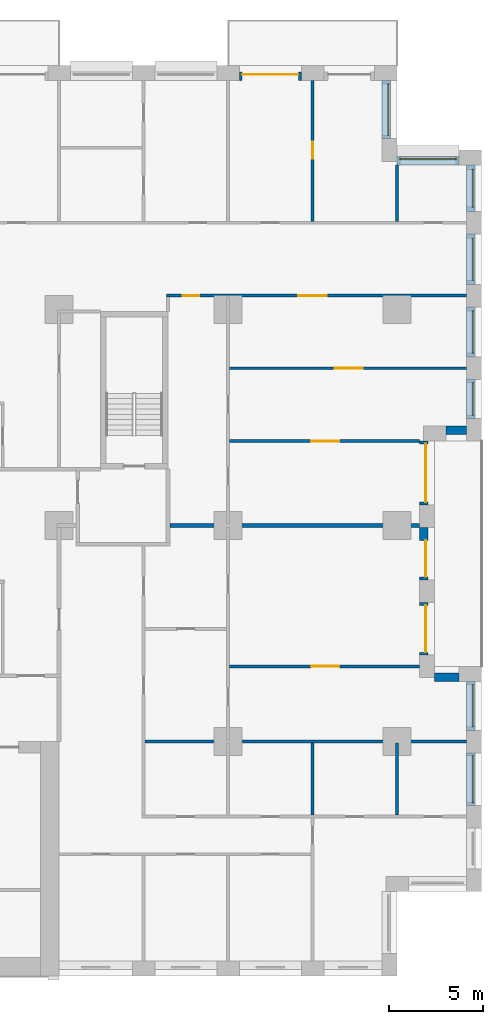
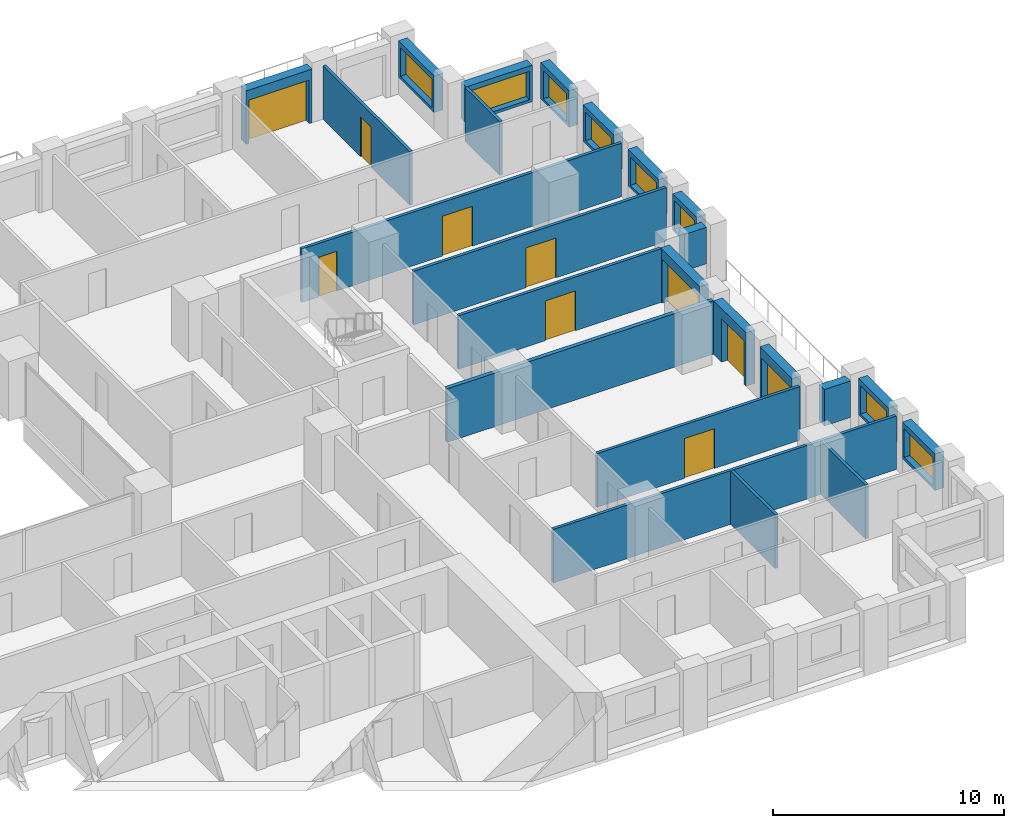
# One storey, part 16 of 19: 24 walls, 10 doors, 8 windows, 18 openings.
"""IFC4 building model written with IfcOpenShell, lengths in metres."""

from ifc_helpers import new_model, si_unit, direction, frame, frame_2d, origin, place, context, subcontext, project, spatial, rectangle, extrude, material, layer, layer_set, type_object, element, fill, save


model = new_model("IFC4")

# Units and contexts
model_context = context("Model", 3, precision=1e-05, world=origin(), true_north=direction((0.0, 1.0)))
body_context = subcontext(model_context, "Body", "Model", "MODEL_VIEW")
ifc_project = project(units=[si_unit("LENGTHUNIT", "METRE"), si_unit("AREAUNIT", "SQUARE_METRE"), si_unit("VOLUMEUNIT", "CUBIC_METRE"), si_unit("PLANEANGLEUNIT", "RADIAN"), si_unit("MASSUNIT", "GRAM", prefix="KILO")], contexts=[model_context])

# Site, building, storey
site_placement = place(None, origin())
site = spatial("IfcSite", under=ifc_project, at=site_placement, CompositionType="ELEMENT")
building_placement = place(site_placement, origin())
building = spatial("IfcBuilding", under=site, at=building_placement, Name="Brigalow Station Residences", CompositionType="ELEMENT")
storey_placement = place(building_placement, frame((0.0, 0.0, 19.5)))
storey = spatial("IfcBuildingStorey", under=building, at=storey_placement, Name="L04", CompositionType="ELEMENT", Elevation=19.5)

# Wall, opening, window
ifc_material_1 = material(Name="Clay brick masonry", Category="masonry")
ifc_layer_1 = layer(ifc_material_1, 0.449951171875)
ifc_layer_set_1 = layer_set([ifc_layer_1], Name="BRICK INFILL WALL 450")
wall_type_1 = type_object("IfcWallType", Name="BRICK INFILL WALL 450", PredefinedType="SOLIDWALL", material=ifc_layer_set_1)
wall_1_placement = place(storey_placement, frame((75.925048828125, 9.10009765625, 0.89990234375), z_axis=(0.0, 0.0, 1.0), x_axis=(0.0, 1.0, 0.0)))
wall_1 = element("IfcWall", 1, at=wall_1_placement, inside=storey, type_object=wall_type_1, Name="L04/ewall/W-L04-12", PredefinedType="SOLIDWALL", context=body_context, shape_type="SweptSolid", body=[
    extrude(rectangle(XDim=2.7998046875, YDim=0.449951171875, at=frame_2d((1.39990234375, 0.0))), origin(), (0.0, 0.0, 1.0), 1.93017578125),
])
opening_1_placement = place(wall_1_placement, frame((0.14990234375, 0.0, 0.14990234375)))
opening_1 = element("IfcOpeningElement", 2, at=opening_1_placement, cuts=wall_1, Name="Opening WT-5", PredefinedType="OPENING", context=body_context, shape_type="SweptSolid", body=[
    extrude(rectangle(XDim=2.5, YDim=1.5, at=frame_2d((1.25, 0.75))), frame((0.0, 0.23486328125, 0.0), z_axis=(0.0, -1.0, 0.0), x_axis=(1.0, 0.0, 0.0)), (0.0, 0.0, 1.0), 0.469970703125),
])
ifc_material_2 = material(Name="Anodised aluminium frame with double glazing", Category="aluminium")
window_type_1 = type_object("IfcWindowType", Name="WINDOW 2500x1500", PartitioningType="SINGLE_PANEL", PredefinedType="WINDOW", material=ifc_material_2)
window_1_placement = place(opening_1_placement, origin())
window_1 = element("IfcWindow", 3, at=window_1_placement, inside=storey, type_object=window_type_1, Name="L04/window/W-L04-12", OverallHeight=1.5, OverallWidth=2.5, PartitioningType="SINGLE_PANEL", PredefinedType="WINDOW", context=body_context, shape_type="SweptSolid", body=[
    extrude(rectangle(XDim=2.5, YDim=1.5, at=frame_2d((1.25, 0.75))), frame((0.0, -0.06494140625, 0.0), z_axis=(0.0, -1.0, 0.0), x_axis=(1.0, 0.0, 0.0)), (0.0, 0.0, 1.0), 0.06005859375),
])
fill(opening_1, window_1)

wall_2_placement = place(storey_placement, frame((75.925048828125, 13.10009765625, 0.89990234375), z_axis=(0.0, 0.0, 1.0), x_axis=(0.0, 1.0, 0.0)))
wall_2 = element("IfcWall", 4, at=wall_2_placement, inside=storey, type_object=wall_type_1, Name="L04/ewall/W-L04-13", PredefinedType="SOLIDWALL", context=body_context, shape_type="SweptSolid", body=[
    extrude(rectangle(XDim=2.599853515625, YDim=0.449951171875, at=frame_2d((1.2998046875, 0.0))), origin(), (0.0, 0.0, 1.0), 1.93017578125),
])
opening_2_placement = place(wall_2_placement, frame((0.175048828125, 0.0, 0.14990234375)))
opening_2 = element("IfcOpeningElement", 5, at=opening_2_placement, cuts=wall_2, Name="Opening WT-6", PredefinedType="OPENING", context=body_context, shape_type="SweptSolid", body=[
    extrude(rectangle(XDim=2.25, YDim=1.5, at=frame_2d((1.125, 0.75))), frame((0.0, 0.23486328125, 0.0), z_axis=(0.0, -1.0, 0.0), x_axis=(1.0, 0.0, 0.0)), (0.0, 0.0, 1.0), 0.469970703125),
])
ifc_material_3 = material(Name="Anodised aluminium frame with double glazing", Category="aluminium")
window_type_2 = type_object("IfcWindowType", Name="WINDOW 2250x1500", PartitioningType="SINGLE_PANEL", PredefinedType="WINDOW", material=ifc_material_3)
window_2_placement = place(opening_2_placement, origin())
window_2 = element("IfcWindow", 6, at=window_2_placement, inside=storey, type_object=window_type_2, Name="L04/window/W-L04-13", OverallHeight=1.5, OverallWidth=2.25, PartitioningType="SINGLE_PANEL", PredefinedType="WINDOW", context=body_context, shape_type="SweptSolid", body=[
    extrude(rectangle(XDim=2.25, YDim=1.5, at=frame_2d((1.125, 0.75))), frame((0.0, -0.06494140625, 0.0), z_axis=(0.0, -1.0, 0.0), x_axis=(1.0, 0.0, 0.0)), (0.0, 0.0, 1.0), 0.06005859375),
])
fill(opening_2, window_2)

# Wall
wall_3_placement = place(storey_placement, frame((75.300048828125, 15.925048828125, 0.89990234375), z_axis=(0.0, 0.0, 1.0), x_axis=(-1.0, 0.0, 0.0)))
element("IfcWall", 7, at=wall_3_placement, inside=storey, type_object=wall_type_1, Name="L04/ewall/W-L04-14", PredefinedType="SOLIDWALL", context=body_context, shape_type="SweptSolid", body=[
    extrude(rectangle(XDim=1.300048828125, YDim=0.449951171875, at=frame_2d((0.64990234375, 0.0))), origin(), (0.0, 0.0, 1.0), 1.93017578125),
])

# Wall, opening, door
wall_4_placement = place(storey_placement, frame((73.425048828125, 17.10009765625, 0.0), z_axis=(0.0, 0.0, 1.0), x_axis=(0.0, 1.0, 0.0)))
wall_4 = element("IfcWall", 8, at=wall_4_placement, inside=storey, type_object=wall_type_1, Name="L04/ewall/W-L04-15", PredefinedType="SOLIDWALL", context=body_context, shape_type="SweptSolid", body=[
    extrude(rectangle(XDim=2.7998046875, YDim=0.449951171875, at=frame_2d((1.39990234375, 0.0))), origin(), (0.0, 0.0, 1.0), 2.830078125),
])
opening_3_placement = place(wall_4_placement, frame((0.14990234375, 0.0, 0.0)))
opening_3 = element("IfcOpeningElement", 9, at=opening_3_placement, cuts=wall_4, Name="Opening D-B2500", PredefinedType="OPENING", context=body_context, shape_type="SweptSolid", body=[
    extrude(rectangle(XDim=2.5, YDim=2.300048828125, at=frame_2d((1.25, 1.14990234375))), frame((0.0, 0.23486328125, 0.0), z_axis=(0.0, -1.0, 0.0), x_axis=(1.0, 0.0, 0.0)), (0.0, 0.0, 1.0), 0.469970703125),
])
ifc_material_4 = material(Name="Anodised aluminium frame with double glazing", Category="aluminium")
door_type_1 = type_object("IfcDoorType", Name="BALCONY SLIDING DOOR 2500x2300", OperationType="SLIDING_TO_LEFT", PredefinedType="DOOR", material=ifc_material_4)
door_1_placement = place(opening_3_placement, origin())
door_1 = element("IfcDoor", 10, at=door_1_placement, inside=storey, type_object=door_type_1, Name="L04/balcony-door/W-L04-15", OperationType="SLIDING_TO_LEFT", OverallHeight=2.300048828125, OverallWidth=2.5, PredefinedType="DOOR", context=body_context, shape_type="SweptSolid", body=[
    extrude(rectangle(XDim=2.5, YDim=2.300048828125, at=frame_2d((1.25, 1.14990234375))), frame((0.0, -0.06982421875, 0.0), z_axis=(0.0, -1.0, 0.0), x_axis=(1.0, 0.0, 0.0)), (0.0, 0.0, 1.0), 0.050048828125),
])
fill(opening_3, door_1)

wall_5_placement = place(storey_placement, frame((73.425048828125, 21.10009765625, 0.0), z_axis=(0.0, 0.0, 1.0), x_axis=(0.0, 1.0, 0.0)))
wall_5 = element("IfcWall", 11, at=wall_5_placement, inside=storey, type_object=wall_type_1, Name="L04/ewall/W-L04-16", PredefinedType="SOLIDWALL", context=body_context, shape_type="SweptSolid", body=[
    extrude(rectangle(XDim=2.7998046875, YDim=0.449951171875, at=frame_2d((1.39990234375, 0.0))), origin(), (0.0, 0.0, 1.0), 2.830078125),
])
opening_4_placement = place(wall_5_placement, frame((0.1650390625, 0.0, 0.0)))
opening_4 = element("IfcOpeningElement", 12, at=opening_4_placement, cuts=wall_5, Name="Opening D-B1950", PredefinedType="OPENING", context=body_context, shape_type="SweptSolid", body=[
    extrude(rectangle(XDim=1.949951171875, YDim=2.300048828125, at=frame_2d((0.97509765625, 1.14990234375))), frame((0.0, 0.23486328125, 0.0), z_axis=(0.0, -1.0, 0.0), x_axis=(1.0, 0.0, 0.0)), (0.0, 0.0, 1.0), 0.469970703125),
])
ifc_material_5 = material(Name="Anodised aluminium frame with double glazing", Category="aluminium")
door_type_2 = type_object("IfcDoorType", Name="BALCONY SLIDING DOOR 1950x2300", OperationType="SLIDING_TO_LEFT", PredefinedType="DOOR", material=ifc_material_5)
door_2_placement = place(opening_4_placement, origin())
door_2 = element("IfcDoor", 13, at=door_2_placement, inside=storey, type_object=door_type_2, Name="L04/balcony-door/W-L04-16", OperationType="SLIDING_TO_LEFT", OverallHeight=2.300048828125, OverallWidth=1.949951171875, PredefinedType="DOOR", context=body_context, shape_type="SweptSolid", body=[
    extrude(rectangle(XDim=1.949951171875, YDim=2.300048828125, at=frame_2d((0.97509765625, 1.14990234375))), frame((0.0, -0.06982421875, 0.0), z_axis=(0.0, -1.0, 0.0), x_axis=(1.0, 0.0, 0.0)), (0.0, 0.0, 1.0), 0.050048828125),
])
fill(opening_4, door_2)

wall_6_placement = place(storey_placement, frame((73.425048828125, 25.10009765625, 0.0), z_axis=(0.0, 0.0, 1.0), x_axis=(0.0, 1.0, 0.0)))
wall_6 = element("IfcWall", 14, at=wall_6_placement, inside=storey, type_object=wall_type_1, Name="L04/ewall/W-L04-17", PredefinedType="SOLIDWALL", context=body_context, shape_type="SweptSolid", body=[
    extrude(rectangle(XDim=3.39990234375, YDim=0.449951171875, at=frame_2d((1.699951171875, 0.0))), origin(), (0.0, 0.0, 1.0), 2.830078125),
])
opening_5_placement = place(wall_6_placement, frame((0.14990234375, 0.0, 0.0)))
opening_5 = element("IfcOpeningElement", 15, at=opening_5_placement, cuts=wall_6, Name="Opening D-B3100", PredefinedType="OPENING", context=body_context, shape_type="SweptSolid", body=[
    extrude(rectangle(XDim=3.10009765625, YDim=2.300048828125, at=frame_2d((1.550048828125, 1.14990234375))), frame((0.0, 0.23486328125, 0.0), z_axis=(0.0, -1.0, 0.0), x_axis=(1.0, 0.0, 0.0)), (0.0, 0.0, 1.0), 0.469970703125),
])
ifc_material_6 = material(Name="Anodised aluminium frame with double glazing", Category="aluminium")
door_type_3 = type_object("IfcDoorType", Name="BALCONY SLIDING DOOR 3100x2300", OperationType="SLIDING_TO_LEFT", PredefinedType="DOOR", material=ifc_material_6)
door_3_placement = place(opening_5_placement, origin())
door_3 = element("IfcDoor", 16, at=door_3_placement, inside=storey, type_object=door_type_3, Name="L04/balcony-door/W-L04-17", OperationType="SLIDING_TO_LEFT", OverallHeight=2.300048828125, OverallWidth=3.10009765625, PredefinedType="DOOR", context=body_context, shape_type="SweptSolid", body=[
    extrude(rectangle(XDim=3.10009765625, YDim=2.300048828125, at=frame_2d((1.550048828125, 1.14990234375))), frame((0.0, -0.06982421875, 0.0), z_axis=(0.0, -1.0, 0.0), x_axis=(1.0, 0.0, 0.0)), (0.0, 0.0, 1.0), 0.050048828125),
])
fill(opening_5, door_3)

# Wall
wall_7_placement = place(storey_placement, frame((74.60009765625, 29.074951171875, 0.89990234375), z_axis=(0.0, 0.0, 1.0), x_axis=(1.0, 0.0, 0.0)))
element("IfcWall", 17, at=wall_7_placement, inside=storey, type_object=wall_type_1, Name="L04/ewall/W-L04-18", PredefinedType="SOLIDWALL", context=body_context, shape_type="SweptSolid", body=[
    extrude(rectangle(XDim=1.099853515625, YDim=0.449951171875, at=frame_2d((0.5498046875, 0.0))), origin(), (0.0, 0.0, 1.0), 1.93017578125),
])

# Wall, opening, window
wall_8_placement = place(storey_placement, frame((75.925048828125, 29.699951171875, 0.89990234375), z_axis=(0.0, 0.0, 1.0), x_axis=(0.0, 1.0, 0.0)))
wall_8 = element("IfcWall", 18, at=wall_8_placement, inside=storey, type_object=wall_type_1, Name="L04/ewall/W-L04-19", PredefinedType="SOLIDWALL", context=body_context, shape_type="SweptSolid", body=[
    extrude(rectangle(XDim=2.074951171875, YDim=0.449951171875, at=frame_2d((1.03759765625, 0.0))), origin(), (0.0, 0.0, 1.0), 1.93017578125),
])
opening_6_placement = place(wall_8_placement, frame((0.16259765625, 0.0, 0.14990234375)))
opening_6 = element("IfcOpeningElement", 19, at=opening_6_placement, cuts=wall_8, Name="Opening WT-4", PredefinedType="OPENING", context=body_context, shape_type="SweptSolid", body=[
    extrude(rectangle(XDim=1.75, YDim=1.5, at=frame_2d((0.875, 0.75))), frame((0.0, 0.23486328125, 0.0), z_axis=(0.0, -1.0, 0.0), x_axis=(1.0, 0.0, 0.0)), (0.0, 0.0, 1.0), 0.469970703125),
])
ifc_material_7 = material(Name="Anodised aluminium frame with double glazing", Category="aluminium")
window_type_3 = type_object("IfcWindowType", Name="WINDOW 1750x1500", PartitioningType="SINGLE_PANEL", PredefinedType="WINDOW", material=ifc_material_7)
window_3_placement = place(opening_6_placement, origin())
window_3 = element("IfcWindow", 20, at=window_3_placement, inside=storey, type_object=window_type_3, Name="L04/window/W-L04-19", OverallHeight=1.5, OverallWidth=1.75, PartitioningType="SINGLE_PANEL", PredefinedType="WINDOW", context=body_context, shape_type="SweptSolid", body=[
    extrude(rectangle(XDim=1.75, YDim=1.5, at=frame_2d((0.875, 0.75))), frame((0.0, -0.06494140625, 0.0), z_axis=(0.0, -1.0, 0.0), x_axis=(1.0, 0.0, 0.0)), (0.0, 0.0, 1.0), 0.06005859375),
])
fill(opening_6, window_3)

wall_9_placement = place(storey_placement, frame((75.925048828125, 32.97509765625, 0.89990234375), z_axis=(0.0, 0.0, 1.0), x_axis=(0.0, 1.0, 0.0)))
wall_9 = element("IfcWall", 21, at=wall_9_placement, inside=storey, type_object=wall_type_1, Name="L04/ewall/W-L04-20", PredefinedType="SOLIDWALL", context=body_context, shape_type="SweptSolid", body=[
    extrude(rectangle(XDim=2.6748046875, YDim=0.449951171875, at=frame_2d((1.33740234375, 0.0))), origin(), (0.0, 0.0, 1.0), 1.93017578125),
])
opening_7_placement = place(wall_9_placement, frame((0.21240234375, 0.0, 0.14990234375)))
opening_7 = element("IfcOpeningElement", 22, at=opening_7_placement, cuts=wall_9, Name="Opening WT-6", PredefinedType="OPENING", context=body_context, shape_type="SweptSolid", body=[
    extrude(rectangle(XDim=2.25, YDim=1.5, at=frame_2d((1.125, 0.75))), frame((0.0, 0.23486328125, 0.0), z_axis=(0.0, -1.0, 0.0), x_axis=(1.0, 0.0, 0.0)), (0.0, 0.0, 1.0), 0.469970703125),
])
window_4_placement = place(opening_7_placement, origin())
window_4 = element("IfcWindow", 23, at=window_4_placement, inside=storey, type_object=window_type_2, Name="L04/window/W-L04-20", OverallHeight=1.5, OverallWidth=2.25, PartitioningType="SINGLE_PANEL", PredefinedType="WINDOW", context=body_context, shape_type="SweptSolid", body=[
    extrude(rectangle(XDim=2.25, YDim=1.5, at=frame_2d((1.125, 0.75))), frame((0.0, -0.06494140625, 0.0), z_axis=(0.0, -1.0, 0.0), x_axis=(1.0, 0.0, 0.0)), (0.0, 0.0, 1.0), 0.06005859375),
])
fill(opening_7, window_4)

wall_10_placement = place(storey_placement, frame((75.925048828125, 36.85009765625, 0.89990234375), z_axis=(0.0, 0.0, 1.0), x_axis=(0.0, 1.0, 0.0)))
wall_10 = element("IfcWall", 24, at=wall_10_placement, inside=storey, type_object=wall_type_1, Name="L04/ewall/W-L04-21", PredefinedType="SOLIDWALL", context=body_context, shape_type="SweptSolid", body=[
    extrude(rectangle(XDim=2.6748046875, YDim=0.449951171875, at=frame_2d((1.33740234375, 0.0))), origin(), (0.0, 0.0, 1.0), 1.93017578125),
])
opening_8_placement = place(wall_10_placement, frame((0.21240234375, 0.0, 0.14990234375)))
opening_8 = element("IfcOpeningElement", 25, at=opening_8_placement, cuts=wall_10, Name="Opening WT-6", PredefinedType="OPENING", context=body_context, shape_type="SweptSolid", body=[
    extrude(rectangle(XDim=2.25, YDim=1.5, at=frame_2d((1.125, 0.75))), frame((0.0, 0.23486328125, 0.0), z_axis=(0.0, -1.0, 0.0), x_axis=(1.0, 0.0, 0.0)), (0.0, 0.0, 1.0), 0.469970703125),
])
window_5_placement = place(opening_8_placement, origin())
window_5 = element("IfcWindow", 26, at=window_5_placement, inside=storey, type_object=window_type_2, Name="L04/window/W-L04-21", OverallHeight=1.5, OverallWidth=2.25, PartitioningType="SINGLE_PANEL", PredefinedType="WINDOW", context=body_context, shape_type="SweptSolid", body=[
    extrude(rectangle(XDim=2.25, YDim=1.5, at=frame_2d((1.125, 0.75))), frame((0.0, -0.06494140625, 0.0), z_axis=(0.0, -1.0, 0.0), x_axis=(1.0, 0.0, 0.0)), (0.0, 0.0, 1.0), 0.06005859375),
])
fill(opening_8, window_5)

wall_11_placement = place(storey_placement, frame((75.925048828125, 40.72509765625, 0.89990234375), z_axis=(0.0, 0.0, 1.0), x_axis=(0.0, 1.0, 0.0)))
wall_11 = element("IfcWall", 27, at=wall_11_placement, inside=storey, type_object=wall_type_1, Name="L04/ewall/W-L04-22", PredefinedType="SOLIDWALL", context=body_context, shape_type="SweptSolid", body=[
    extrude(rectangle(XDim=2.474853515625, YDim=0.449951171875, at=frame_2d((1.2373046875, 0.0))), origin(), (0.0, 0.0, 1.0), 1.93017578125),
])
opening_9_placement = place(wall_11_placement, frame((0.237548828125, 0.0, 0.14990234375)))
opening_9 = element("IfcOpeningElement", 28, at=opening_9_placement, cuts=wall_11, Name="Opening WT-7", PredefinedType="OPENING", context=body_context, shape_type="SweptSolid", body=[
    extrude(rectangle(XDim=2.0, YDim=1.5, at=frame_2d((1.0, 0.75))), frame((0.0, 0.23486328125, 0.0), z_axis=(0.0, -1.0, 0.0), x_axis=(1.0, 0.0, 0.0)), (0.0, 0.0, 1.0), 0.469970703125),
])
ifc_material_8 = material(Name="Anodised aluminium frame with double glazing", Category="aluminium")
window_type_4 = type_object("IfcWindowType", Name="WINDOW 2000x1500", PartitioningType="SINGLE_PANEL", PredefinedType="WINDOW", material=ifc_material_8)
window_6_placement = place(opening_9_placement, origin())
window_6 = element("IfcWindow", 29, at=window_6_placement, inside=storey, type_object=window_type_4, Name="L04/window/W-L04-22", OverallHeight=1.5, OverallWidth=2.0, PartitioningType="SINGLE_PANEL", PredefinedType="WINDOW", context=body_context, shape_type="SweptSolid", body=[
    extrude(rectangle(XDim=2.0, YDim=1.5, at=frame_2d((1.0, 0.75))), frame((0.0, -0.06494140625, 0.0), z_axis=(0.0, -1.0, 0.0), x_axis=(1.0, 0.0, 0.0)), (0.0, 0.0, 1.0), 0.06005859375),
])
fill(opening_9, window_6)

wall_12_placement = place(storey_placement, frame((75.300048828125, 43.425048828125, 0.89990234375), z_axis=(0.0, 0.0, 1.0), x_axis=(-1.0, 0.0, 0.0)))
wall_12 = element("IfcWall", 30, at=wall_12_placement, inside=storey, type_object=wall_type_1, Name="L04/ewall/W-L04-23", PredefinedType="SOLIDWALL", context=body_context, shape_type="SweptSolid", body=[
    extrude(rectangle(XDim=3.300048828125, YDim=0.449951171875, at=frame_2d((1.64990234375, 0.0))), origin(), (0.0, 0.0, 1.0), 1.93017578125),
])
opening_10_placement = place(wall_12_placement, frame((0.14990234375, 0.0, 0.14990234375)))
opening_10 = element("IfcOpeningElement", 31, at=opening_10_placement, cuts=wall_12, Name="Opening WT-2", PredefinedType="OPENING", context=body_context, shape_type="SweptSolid", body=[
    extrude(rectangle(XDim=3.0, YDim=1.5, at=frame_2d((1.5, 0.75))), frame((0.0, 0.23486328125, 0.0), z_axis=(0.0, -1.0, 0.0), x_axis=(1.0, 0.0, 0.0)), (0.0, 0.0, 1.0), 0.469970703125),
])
ifc_material_9 = material(Name="Anodised aluminium frame with double glazing", Category="aluminium")
window_type_5 = type_object("IfcWindowType", Name="WINDOW 3000x1500", PartitioningType="SINGLE_PANEL", PredefinedType="WINDOW", material=ifc_material_9)
window_7_placement = place(opening_10_placement, origin())
window_7 = element("IfcWindow", 32, at=window_7_placement, inside=storey, type_object=window_type_5, Name="L04/window/W-L04-23", OverallHeight=1.5, OverallWidth=3.0, PartitioningType="SINGLE_PANEL", PredefinedType="WINDOW", context=body_context, shape_type="SweptSolid", body=[
    extrude(rectangle(XDim=3.0, YDim=1.5, at=frame_2d((1.5, 0.75))), frame((0.0, -0.06494140625, 0.0), z_axis=(0.0, -1.0, 0.0), x_axis=(1.0, 0.0, 0.0)), (0.0, 0.0, 1.0), 0.06005859375),
])
fill(opening_10, window_7)

wall_13_placement = place(storey_placement, frame((71.425048828125, 44.60009765625, 0.89990234375), z_axis=(0.0, 0.0, 1.0), x_axis=(0.0, 1.0, 0.0)))
wall_13 = element("IfcWall", 33, at=wall_13_placement, inside=storey, type_object=wall_type_1, Name="L04/ewall/W-L04-24", PredefinedType="SOLIDWALL", context=body_context, shape_type="SweptSolid", body=[
    extrude(rectangle(XDim=3.099853515625, YDim=0.449951171875, at=frame_2d((1.5498046875, 0.0))), origin(), (0.0, 0.0, 1.0), 1.93017578125),
])
opening_11_placement = place(wall_13_placement, frame((0.175048828125, 0.0, 0.14990234375)))
opening_11 = element("IfcOpeningElement", 34, at=opening_11_placement, cuts=wall_13, Name="Opening WT-3", PredefinedType="OPENING", context=body_context, shape_type="SweptSolid", body=[
    extrude(rectangle(XDim=2.75, YDim=1.5, at=frame_2d((1.375, 0.75))), frame((0.0, 0.23486328125, 0.0), z_axis=(0.0, -1.0, 0.0), x_axis=(1.0, 0.0, 0.0)), (0.0, 0.0, 1.0), 0.469970703125),
])
ifc_material_10 = material(Name="Anodised aluminium frame with double glazing", Category="aluminium")
window_type_6 = type_object("IfcWindowType", Name="WINDOW 2750x1500", PartitioningType="SINGLE_PANEL", PredefinedType="WINDOW", material=ifc_material_10)
window_8_placement = place(opening_11_placement, origin())
window_8 = element("IfcWindow", 35, at=window_8_placement, inside=storey, type_object=window_type_6, Name="L04/window/W-L04-24", OverallHeight=1.5, OverallWidth=2.75, PartitioningType="SINGLE_PANEL", PredefinedType="WINDOW", context=body_context, shape_type="SweptSolid", body=[
    extrude(rectangle(XDim=2.75, YDim=1.5, at=frame_2d((1.375, 0.75))), frame((0.0, -0.06494140625, 0.0), z_axis=(0.0, -1.0, 0.0), x_axis=(1.0, 0.0, 0.0)), (0.0, 0.0, 1.0), 0.06005859375),
])
fill(opening_11, window_8)

# Wall, opening, door
wall_14_placement = place(storey_placement, frame((66.89990234375, 47.925048828125, 0.0), z_axis=(0.0, 0.0, 1.0), x_axis=(-1.0, 0.0, 0.0)))
wall_14 = element("IfcWall", 36, at=wall_14_placement, inside=storey, type_object=wall_type_1, Name="L04/ewall/W-L04-26", PredefinedType="SOLIDWALL", context=body_context, shape_type="SweptSolid", body=[
    extrude(rectangle(XDim=3.2998046875, YDim=0.449951171875, at=frame_2d((1.64990234375, 0.0))), origin(), (0.0, 0.0, 1.0), 2.830078125),
])
opening_12_placement = place(wall_14_placement, frame((0.14990234375, 0.0, 0.0)))
opening_12 = element("IfcOpeningElement", 37, at=opening_12_placement, cuts=wall_14, Name="Opening D-B3000", PredefinedType="OPENING", context=body_context, shape_type="SweptSolid", body=[
    extrude(rectangle(XDim=3.0, YDim=2.300048828125, at=frame_2d((1.5, 1.14990234375))), frame((0.0, 0.23486328125, 0.0), z_axis=(0.0, -1.0, 0.0), x_axis=(1.0, 0.0, 0.0)), (0.0, 0.0, 1.0), 0.469970703125),
])
ifc_material_11 = material(Name="Anodised aluminium frame with double glazing", Category="aluminium")
door_type_4 = type_object("IfcDoorType", Name="BALCONY SLIDING DOOR 3000x2300", OperationType="SLIDING_TO_LEFT", PredefinedType="DOOR", material=ifc_material_11)
door_4_placement = place(opening_12_placement, origin())
door_4 = element("IfcDoor", 38, at=door_4_placement, inside=storey, type_object=door_type_4, Name="L04/balcony-door/W-L04-26", OperationType="SLIDING_TO_LEFT", OverallHeight=2.300048828125, OverallWidth=3.0, PredefinedType="DOOR", context=body_context, shape_type="SweptSolid", body=[
    extrude(rectangle(XDim=3.0, YDim=2.300048828125, at=frame_2d((1.5, 1.14990234375))), frame((0.0, -0.06982421875, 0.0), z_axis=(0.0, -1.0, 0.0), x_axis=(1.0, 0.0, 0.0)), (0.0, 0.0, 1.0), 0.050048828125),
])
fill(opening_12, door_4)

# Wall
ifc_material_12 = material(Name="Plasterboard on steel stud partition", Category="steel")
ifc_layer_2 = layer(ifc_material_12, 0.14990234375)
ifc_layer_set_2 = layer_set([ifc_layer_2], Name="FLAT PARTITION 150")
wall_type_2 = type_object("IfcWallType", Name="FLAT PARTITION 150", PredefinedType="PARTITIONING", material=ifc_layer_set_2)
wall_15_placement = place(storey_placement, frame((58.574951171875, 12.5, 0.0), z_axis=(0.0, 0.0, 1.0), x_axis=(1.0, 0.0, 0.0)))
element("IfcWall", 39, at=wall_15_placement, inside=storey, type_object=wall_type_2, Name="PW-1A12", PredefinedType="PARTITIONING", context=body_context, shape_type="SweptSolid", body=[
    extrude(rectangle(XDim=17.125, YDim=0.14990234375, at=frame_2d((8.5625, 0.0))), origin(), (0.0, 0.0, 1.0), 2.830078125),
])

# Wall, opening, door
wall_16_placement = place(storey_placement, frame((63.074951171875, 32.375, 0.0), z_axis=(0.0, 0.0, 1.0), x_axis=(1.0, 0.0, 0.0)))
wall_16 = element("IfcWall", 40, at=wall_16_placement, inside=storey, type_object=wall_type_2, Name="PW-1A17", PredefinedType="PARTITIONING", context=body_context, shape_type="SweptSolid", body=[
    extrude(rectangle(XDim=12.625, YDim=0.14990234375, at=frame_2d((6.3125, 0.0))), origin(), (0.0, 0.0, 1.0), 2.830078125),
])
opening_13_placement = place(wall_16_placement, frame((5.60009765625, 0.0, 0.0)))
opening_13 = element("IfcOpeningElement", 41, at=opening_13_placement, cuts=wall_16, Name="Opening D-1A46", PredefinedType="OPENING", context=body_context, shape_type="SweptSolid", body=[
    extrude(rectangle(XDim=1.5, YDim=2.10009765625, at=frame_2d((0.75, 1.050048828125))), frame((0.0, 0.0849609375, 0.0), z_axis=(0.0, -1.0, 0.0), x_axis=(1.0, 0.0, 0.0)), (0.0, 0.0, 1.0), 0.169921875),
])
ifc_material_13 = material(Name="Solid-core timber door leaf", Category="wood")
door_type_5 = type_object("IfcDoorType", Name="INTERNAL DOUBLE DOOR 1500 x 2100", OperationType="DOUBLE_DOOR_SINGLE_SWING", PredefinedType="DOOR", material=ifc_material_13)
door_5_placement = place(opening_13_placement, frame((1.5, 0.0, 0.0), z_axis=(0.0, 0.0, 1.0), x_axis=(-1.0, 0.0, 0.0)))
door_5 = element("IfcDoor", 42, at=door_5_placement, inside=storey, type_object=door_type_5, Name="D-1A46", OperationType="DOUBLE_DOOR_SINGLE_SWING", OverallHeight=2.10009765625, OverallWidth=1.5, PredefinedType="DOOR", context=body_context, shape_type="SweptSolid", body=[
    extrude(rectangle(XDim=1.5, YDim=2.10009765625, at=frame_2d((0.75, 1.050048828125))), frame((0.0, 0.02490234375, 0.0), z_axis=(0.0, -1.0, 0.0), x_axis=(1.0, 0.0, 0.0)), (0.0, 0.0, 1.0), 0.050048828125),
])
fill(opening_13, door_5)

# Wall, openings, doors
wall_17_placement = place(storey_placement, frame((59.72509765625, 36.25, 0.0), z_axis=(0.0, 0.0, 1.0), x_axis=(1.0, 0.0, 0.0)))
wall_17 = element("IfcWall", 43, at=wall_17_placement, inside=storey, type_object=wall_type_2, Name="PW-1A19", PredefinedType="PARTITIONING", context=body_context, shape_type="SweptSolid", body=[
    extrude(rectangle(XDim=15.974853515625, YDim=0.14990234375, at=frame_2d((7.9873046875, 0.0))), origin(), (0.0, 0.0, 1.0), 2.830078125),
])
opening_14_placement = place(wall_17_placement, frame((7.02490234375, 0.0, 0.0)))
opening_14 = element("IfcOpeningElement", 44, at=opening_14_placement, cuts=wall_17, Name="Opening D-1A47", PredefinedType="OPENING", context=body_context, shape_type="SweptSolid", body=[
    extrude(rectangle(XDim=1.5, YDim=2.10009765625, at=frame_2d((0.75, 1.050048828125))), frame((0.0, 0.0849609375, 0.0), z_axis=(0.0, -1.0, 0.0), x_axis=(1.0, 0.0, 0.0)), (0.0, 0.0, 1.0), 0.169921875),
])
opening_15_placement = place(wall_17_placement, frame((0.85009765625, 0.0, 0.0)))
opening_15 = element("IfcOpeningElement", 45, at=opening_15_placement, cuts=wall_17, Name="Opening D-1A50", PredefinedType="OPENING", context=body_context, shape_type="SweptSolid", body=[
    extrude(rectangle(XDim=0.89990234375, YDim=2.10009765625, at=frame_2d((0.449951171875, 1.050048828125))), frame((0.0, 0.0849609375, 0.0), z_axis=(0.0, -1.0, 0.0), x_axis=(1.0, 0.0, 0.0)), (0.0, 0.0, 1.0), 0.169921875),
])
ifc_material_14 = material(Name="Solid-core timber door leaf", Category="wood")
door_type_6 = type_object("IfcDoorType", Name="INTERNAL DOOR 900 x 2100", OperationType="SINGLE_SWING_LEFT", PredefinedType="DOOR", material=ifc_material_14)
door_6_placement = place(opening_15_placement, frame((0.89990234375, 0.0, 0.0), z_axis=(0.0, 0.0, 1.0), x_axis=(-1.0, 0.0, 0.0)))
door_6 = element("IfcDoor", 46, at=door_6_placement, inside=storey, type_object=door_type_6, Name="D-1A50", OperationType="SINGLE_SWING_RIGHT", OverallHeight=2.10009765625, OverallWidth=0.89990234375, PredefinedType="DOOR", context=body_context, shape_type="SweptSolid", body=[
    extrude(rectangle(XDim=0.89990234375, YDim=2.10009765625, at=frame_2d((0.449951171875, 1.050048828125))), frame((0.0, 0.02490234375, 0.0), z_axis=(0.0, -1.0, 0.0), x_axis=(1.0, 0.0, 0.0)), (0.0, 0.0, 1.0), 0.050048828125),
])
fill(opening_15, door_6)
door_7_placement = place(opening_14_placement, frame((1.5, 0.0, 0.0), z_axis=(0.0, 0.0, 1.0), x_axis=(-1.0, 0.0, 0.0)))
door_7 = element("IfcDoor", 47, at=door_7_placement, inside=storey, type_object=door_type_5, Name="D-1A47", OperationType="DOUBLE_DOOR_SINGLE_SWING", OverallHeight=2.10009765625, OverallWidth=1.5, PredefinedType="DOOR", context=body_context, shape_type="SweptSolid", body=[
    extrude(rectangle(XDim=1.5, YDim=2.10009765625, at=frame_2d((0.75, 1.050048828125))), frame((0.0, 0.02490234375, 0.0), z_axis=(0.0, -1.0, 0.0), x_axis=(1.0, 0.0, 0.0)), (0.0, 0.0, 1.0), 0.050048828125),
])
fill(opening_14, door_7)

# Wall, opening, door
wall_18_placement = place(storey_placement, frame((63.074951171875, 16.5, 0.0), z_axis=(0.0, 0.0, 1.0), x_axis=(1.0, 0.0, 0.0)))
wall_18 = element("IfcWall", 48, at=wall_18_placement, inside=storey, type_object=wall_type_2, Name="PW-1A29", PredefinedType="PARTITIONING", context=body_context, shape_type="SweptSolid", body=[
    extrude(rectangle(XDim=10.125, YDim=0.14990234375, at=frame_2d((5.0625, 0.0))), origin(), (0.0, 0.0, 1.0), 2.830078125),
])
opening_16_placement = place(wall_18_placement, frame((4.35009765625, 0.0, 0.0)))
opening_16 = element("IfcOpeningElement", 49, at=opening_16_placement, cuts=wall_18, Name="Opening D-1A43", PredefinedType="OPENING", context=body_context, shape_type="SweptSolid", body=[
    extrude(rectangle(XDim=1.5, YDim=2.10009765625, at=frame_2d((0.75, 1.050048828125))), frame((0.0, 0.0849609375, 0.0), z_axis=(0.0, -1.0, 0.0), x_axis=(1.0, 0.0, 0.0)), (0.0, 0.0, 1.0), 0.169921875),
])
door_8_placement = place(opening_16_placement, frame((1.5, 0.0, 0.0), z_axis=(0.0, 0.0, 1.0), x_axis=(-1.0, 0.0, 0.0)))
door_8 = element("IfcDoor", 50, at=door_8_placement, inside=storey, type_object=door_type_5, Name="D-1A43", OperationType="DOUBLE_DOOR_SINGLE_SWING", OverallHeight=2.10009765625, OverallWidth=1.5, PredefinedType="DOOR", context=body_context, shape_type="SweptSolid", body=[
    extrude(rectangle(XDim=1.5, YDim=2.10009765625, at=frame_2d((0.75, 1.050048828125))), frame((0.0, 0.02490234375, 0.0), z_axis=(0.0, -1.0, 0.0), x_axis=(1.0, 0.0, 0.0)), (0.0, 0.0, 1.0), 0.050048828125),
])
fill(opening_16, door_8)

wall_19_placement = place(storey_placement, frame((63.074951171875, 28.5, 0.0), z_axis=(0.0, 0.0, 1.0), x_axis=(1.0, 0.0, 0.0)))
wall_19 = element("IfcWall", 51, at=wall_19_placement, inside=storey, type_object=wall_type_2, Name="PW-1A30", PredefinedType="PARTITIONING", context=body_context, shape_type="SweptSolid", body=[
    extrude(rectangle(XDim=10.125, YDim=0.14990234375, at=frame_2d((5.0625, 0.0))), origin(), (0.0, 0.0, 1.0), 2.830078125),
])
opening_17_placement = place(wall_19_placement, frame((4.35009765625, 0.0, 0.0)))
opening_17 = element("IfcOpeningElement", 52, at=opening_17_placement, cuts=wall_19, Name="Opening D-1A45", PredefinedType="OPENING", context=body_context, shape_type="SweptSolid", body=[
    extrude(rectangle(XDim=1.5, YDim=2.10009765625, at=frame_2d((0.75, 1.050048828125))), frame((0.0, 0.0849609375, 0.0), z_axis=(0.0, -1.0, 0.0), x_axis=(1.0, 0.0, 0.0)), (0.0, 0.0, 1.0), 0.169921875),
])
door_9_placement = place(opening_17_placement, frame((1.5, 0.0, 0.0), z_axis=(0.0, 0.0, 1.0), x_axis=(-1.0, 0.0, 0.0)))
door_9 = element("IfcDoor", 53, at=door_9_placement, inside=storey, type_object=door_type_5, Name="D-1A45", OperationType="DOUBLE_DOOR_SINGLE_SWING", OverallHeight=2.10009765625, OverallWidth=1.5, PredefinedType="DOOR", context=body_context, shape_type="SweptSolid", body=[
    extrude(rectangle(XDim=1.5, YDim=2.10009765625, at=frame_2d((0.75, 1.050048828125))), frame((0.0, 0.02490234375, 0.0), z_axis=(0.0, -1.0, 0.0), x_axis=(1.0, 0.0, 0.0)), (0.0, 0.0, 1.0), 0.050048828125),
])
fill(opening_17, door_9)

# Wall
wall_20_placement = place(storey_placement, frame((67.5, 8.574951171875, 0.0), z_axis=(0.0, 0.0, 1.0), x_axis=(0.0, 1.0, 0.0)))
element("IfcWall", 54, at=wall_20_placement, inside=storey, type_object=wall_type_2, Name="PW-1A70", PredefinedType="PARTITIONING", context=body_context, shape_type="SweptSolid", body=[
    extrude(rectangle(XDim=3.85009765625, YDim=0.14990234375, at=frame_2d((1.925048828125, 0.0))), origin(), (0.0, 0.0, 1.0), 2.830078125),
])

# Wall, opening, door
wall_21_placement = place(storey_placement, frame((67.5, 40.199951171875, 0.0), z_axis=(0.0, 0.0, 1.0), x_axis=(0.0, 1.0, 0.0)))
wall_21 = element("IfcWall", 55, at=wall_21_placement, inside=storey, type_object=wall_type_2, Name="PW-1A71", PredefinedType="PARTITIONING", context=body_context, shape_type="SweptSolid", body=[
    extrude(rectangle(XDim=7.5, YDim=0.14990234375, at=frame_2d((3.75, 0.0))), origin(), (0.0, 0.0, 1.0), 2.830078125),
])
opening_18_placement = place(wall_21_placement, frame((3.3369140625, 0.0, 0.0)))
opening_18 = element("IfcOpeningElement", 56, at=opening_18_placement, cuts=wall_21, Name="Opening D-1A54", PredefinedType="OPENING", context=body_context, shape_type="SweptSolid", body=[
    extrude(rectangle(XDim=0.89990234375, YDim=2.10009765625, at=frame_2d((0.449951171875, 1.050048828125))), frame((0.0, 0.0849609375, 0.0), z_axis=(0.0, -1.0, 0.0), x_axis=(1.0, 0.0, 0.0)), (0.0, 0.0, 1.0), 0.169921875),
])
door_10_placement = place(opening_18_placement, frame((0.89990234375, 0.0, 0.0), z_axis=(0.0, 0.0, 1.0), x_axis=(-1.0, 0.0, 0.0)))
door_10 = element("IfcDoor", 57, at=door_10_placement, inside=storey, type_object=door_type_6, Name="D-1A54", OperationType="SINGLE_SWING_LEFT", OverallHeight=2.10009765625, OverallWidth=0.89990234375, PredefinedType="DOOR", context=body_context, shape_type="SweptSolid", body=[
    extrude(rectangle(XDim=0.89990234375, YDim=2.10009765625, at=frame_2d((0.449951171875, 1.050048828125))), frame((0.0, 0.02490234375, 0.0), z_axis=(0.0, -1.0, 0.0), x_axis=(1.0, 0.0, 0.0)), (0.0, 0.0, 1.0), 0.050048828125),
])
fill(opening_18, door_10)

# Walls
wall_22_placement = place(storey_placement, frame((72.0, 8.574951171875, 0.0), z_axis=(0.0, 0.0, 1.0), x_axis=(0.0, 1.0, 0.0)))
element("IfcWall", 58, at=wall_22_placement, inside=storey, type_object=wall_type_2, Name="PW-1A72", PredefinedType="PARTITIONING", context=body_context, shape_type="SweptSolid", body=[
    extrude(rectangle(XDim=3.85009765625, YDim=0.14990234375, at=frame_2d((1.925048828125, 0.0))), origin(), (0.0, 0.0, 1.0), 2.830078125),
])
wall_23_placement = place(storey_placement, frame((72.0, 40.199951171875, 0.0), z_axis=(0.0, 0.0, 1.0), x_axis=(0.0, 1.0, 0.0)))
element("IfcWall", 59, at=wall_23_placement, inside=storey, type_object=wall_type_2, Name="PW-1A73", PredefinedType="PARTITIONING", context=body_context, shape_type="SweptSolid", body=[
    extrude(rectangle(XDim=3.0, YDim=0.14990234375, at=frame_2d((1.5, 0.0))), origin(), (0.0, 0.0, 1.0), 2.830078125),
])
ifc_material_15 = material(Name="Plasterboard on steel stud partition", Category="steel")
ifc_layer_3 = layer(ifc_material_15, 0.199951171875)
ifc_layer_set_3 = layer_set([ifc_layer_3], Name="PARTY AND CORRIDOR WALL 200")
wall_type_3 = type_object("IfcWallType", Name="PARTY AND CORRIDOR WALL 200", PredefinedType="PARTITIONING", material=ifc_layer_set_3)
wall_24_placement = place(storey_placement, frame((59.89990234375, 24.0, 0.0), z_axis=(0.0, 0.0, 1.0), x_axis=(1.0, 0.0, 0.0)))
element("IfcWall", 60, at=wall_24_placement, inside=storey, type_object=wall_type_3, Name="PW-1A05", PredefinedType="PARTITIONING", context=body_context, shape_type="SweptSolid", body=[
    extrude(rectangle(XDim=13.300048828125, YDim=0.199951171875, at=frame_2d((6.64990234375, 0.0))), origin(), (0.0, 0.0, 1.0), 2.830078125),
])

save(model, "model.ifc")
